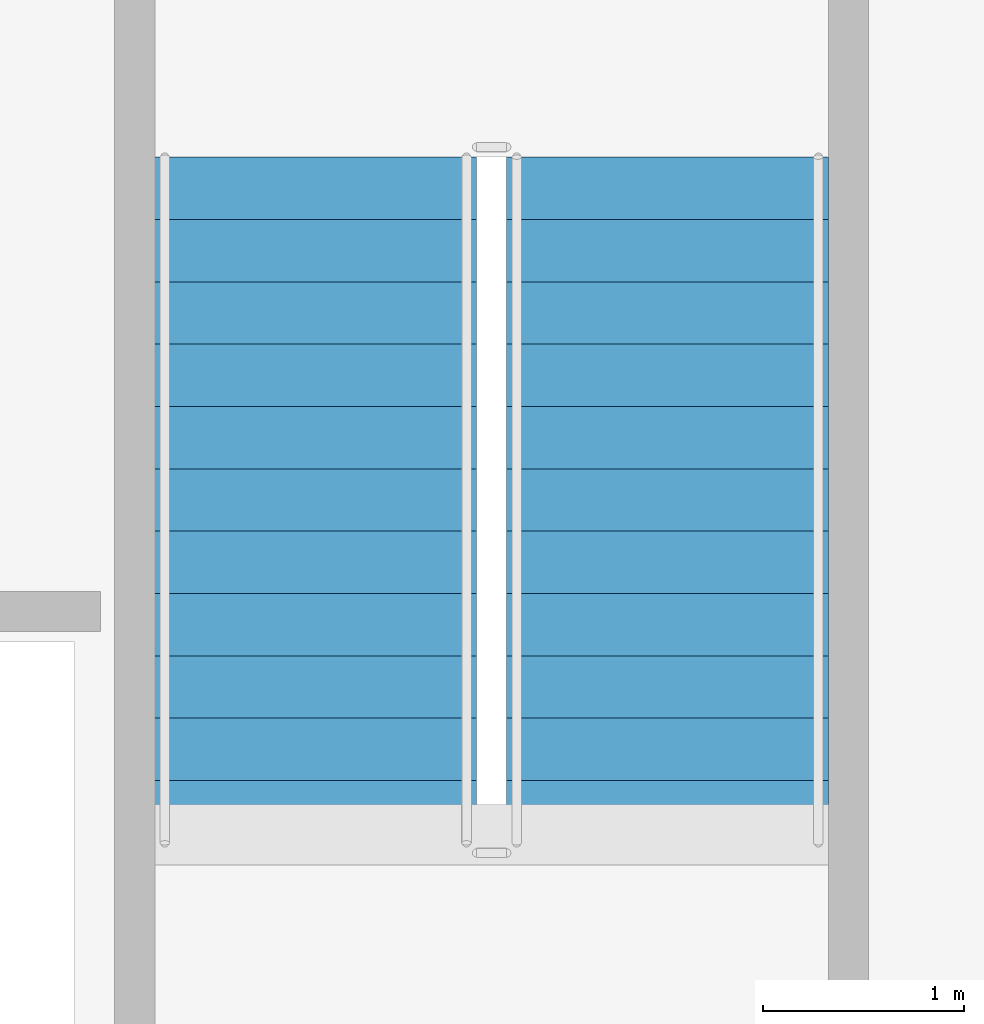
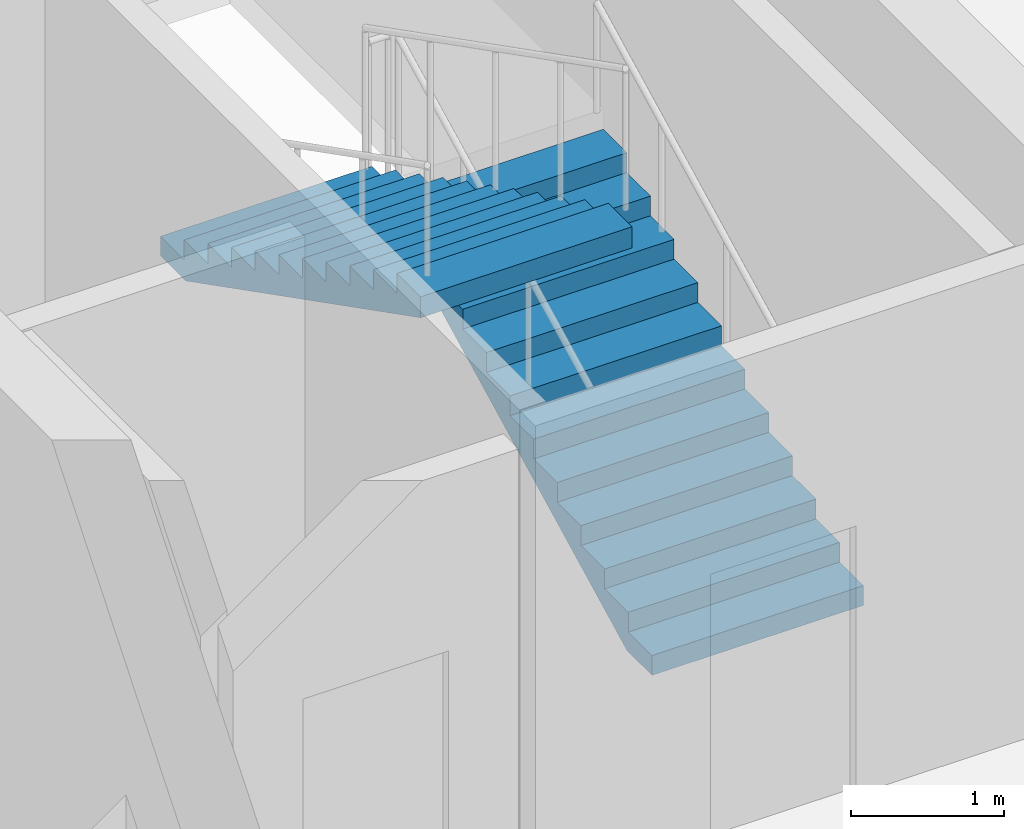
# One storey, part 13 of 20: 2 stair flights, 1 element without a shape of its own.
"""IFC4 building model written with IfcOpenShell, lengths in metres."""

from ifc_helpers import new_model, si_unit, direction, frame, origin, place, context, subcontext, project, spatial, polyline, outline, extrude, material, type_object, element, aggregate, save


model = new_model("IFC4")

# Units and contexts
model_context = context("Model", 3, precision=1e-05, world=origin(), true_north=direction((0.0, 1.0)))
body_context = subcontext(model_context, "Body", "Model", "MODEL_VIEW")
ifc_project = project(units=[si_unit("LENGTHUNIT", "METRE"), si_unit("AREAUNIT", "SQUARE_METRE"), si_unit("VOLUMEUNIT", "CUBIC_METRE"), si_unit("PLANEANGLEUNIT", "RADIAN"), si_unit("MASSUNIT", "GRAM", prefix="KILO")], contexts=[model_context])

# Site, building, storey
site_placement = place(None, origin())
site = spatial("IfcSite", under=ifc_project, at=site_placement, CompositionType="ELEMENT")
building_placement = place(site_placement, origin())
building = spatial("IfcBuilding", under=site, at=building_placement, Name="Vaeldorn Concourse Tower", CompositionType="ELEMENT")
storey_placement = place(building_placement, frame((0.0, 0.0, 295.39990234375)))
storey = spatial("IfcBuildingStorey", under=building, at=storey_placement, Name="L76", CompositionType="ELEMENT", Elevation=295.39990234375)

# Stair, stair flights
ifc_material = material(Name="Precast concrete C40/50", Category="concrete")
stair_type = type_object("IfcStairType", Name="STR-DOG-24x158", PredefinedType="HALF_TURN_STAIR", material=ifc_material)
stair_placement = place(storey_placement, origin())
stair = element("IfcStair", 1, at=stair_placement, inside=storey, type_object=stair_type, Name="L76 East Core Exit Stair ST-2", PredefinedType="HALF_TURN_STAIR")
stair_flight_type = type_object("IfcStairFlightType", Name="STF-STR-12x158", PredefinedType="STRAIGHT", material=ifc_material)
stair_flight_1_placement = place(storey_placement, frame((52.14990234375, 41.60009765625, 0.0), z_axis=(0.0, 0.0, 1.0), x_axis=(0.0, 1.0, 0.0)))
stair_flight_1 = element("IfcStairFlight", 2, at=stair_flight_1_placement, type_object=stair_flight_type, Name="ST-2 flight 1", NumberOfRisers=12, NumberOfTreads=11, PredefinedType="STRAIGHT", RiserHeight=0.158333333, TreadLength=0.31, context=body_context, shape_type="SweptSolid", body=[
    extrude(outline(polyline([(0.0, 0.0), (0.0, 0.158447265625), (0.31005859375, 0.158447265625), (0.31005859375, 0.316650390625), (0.6201171875, 0.316650390625), (0.6201171875, 0.47509765625), (0.929931640625, 0.47509765625), (0.929931640625, 0.63330078125), (1.239990234375, 0.63330078125), (1.239990234375, 0.791748046875), (1.550048828125, 0.791748046875), (1.550048828125, 0.949951171875), (1.860107421875, 0.949951171875), (1.860107421875, 1.1083984375), (2.169921875, 1.1083984375), (2.169921875, 1.2666015625), (2.47998046875, 1.2666015625), (2.47998046875, 1.425048828125), (2.7900390625, 1.425048828125), (2.7900390625, 1.583251953125), (3.10009765625, 1.583251953125), (3.10009765625, 1.74169921875), (3.409912109375, 1.74169921875), (3.409912109375, 1.89990234375), (3.409912109375, 1.5732421875), (0.32958984375, 0.0), (0.0, 0.0)])), frame((0.0, 0.800048828125, 0.0), z_axis=(0.0, -1.0, 0.0), x_axis=(1.0, 0.0, 0.0)), (0.0, 0.0, 1.0), 1.60009765625),
])
stair_flight_2_placement = place(storey_placement, frame((50.39990234375, 45.010009765625, 1.900146484375), z_axis=(0.0, 0.0, 1.0), x_axis=(0.0, -1.0, 0.0)))
stair_flight_2 = element("IfcStairFlight", 3, at=stair_flight_2_placement, type_object=stair_flight_type, Name="ST-2 flight 2", NumberOfRisers=12, NumberOfTreads=11, PredefinedType="STRAIGHT", RiserHeight=0.158333333, TreadLength=0.31, context=body_context, shape_type="SweptSolid", body=[
    extrude(outline(polyline([(0.0, 0.0), (0.0, 0.158447265625), (0.31005859375, 0.158447265625), (0.31005859375, 0.316650390625), (0.6201171875, 0.316650390625), (0.6201171875, 0.47509765625), (0.929931640625, 0.47509765625), (0.929931640625, 0.63330078125), (1.239990234375, 0.63330078125), (1.239990234375, 0.791748046875), (1.550048828125, 0.791748046875), (1.550048828125, 0.949951171875), (1.860107421875, 0.949951171875), (1.860107421875, 1.1083984375), (2.169921875, 1.1083984375), (2.169921875, 1.2666015625), (2.47998046875, 1.2666015625), (2.47998046875, 1.425048828125), (2.7900390625, 1.425048828125), (2.7900390625, 1.583251953125), (3.10009765625, 1.583251953125), (3.10009765625, 1.74169921875), (3.409912109375, 1.74169921875), (3.409912109375, 1.89990234375), (3.409912109375, 1.5732421875), (0.32958984375, 0.0), (0.0, 0.0)])), frame((0.0, 0.800048828125, 0.0), z_axis=(0.0, -1.0, 0.0), x_axis=(1.0, 0.0, 0.0)), (0.0, 0.0, 1.0), 1.60009765625),
])
aggregate(stair, [stair_flight_1, stair_flight_2])

save(model, "model.ifc")
